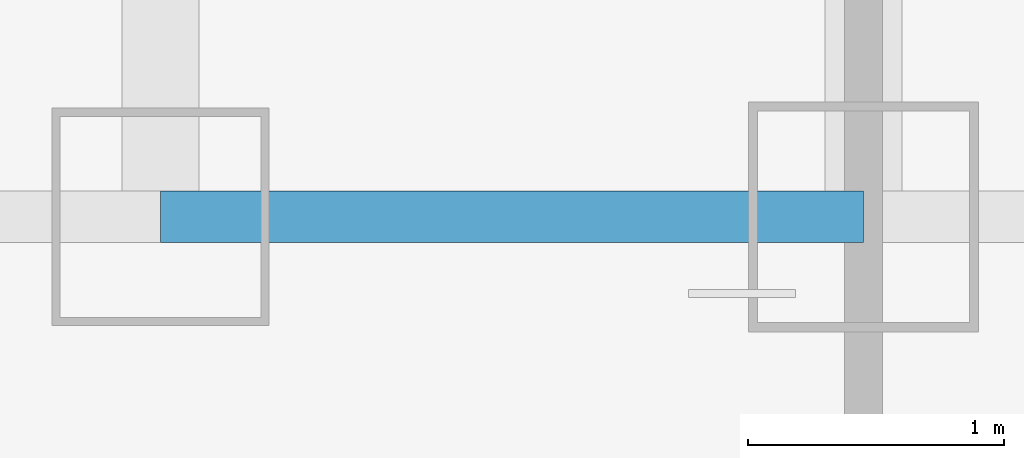
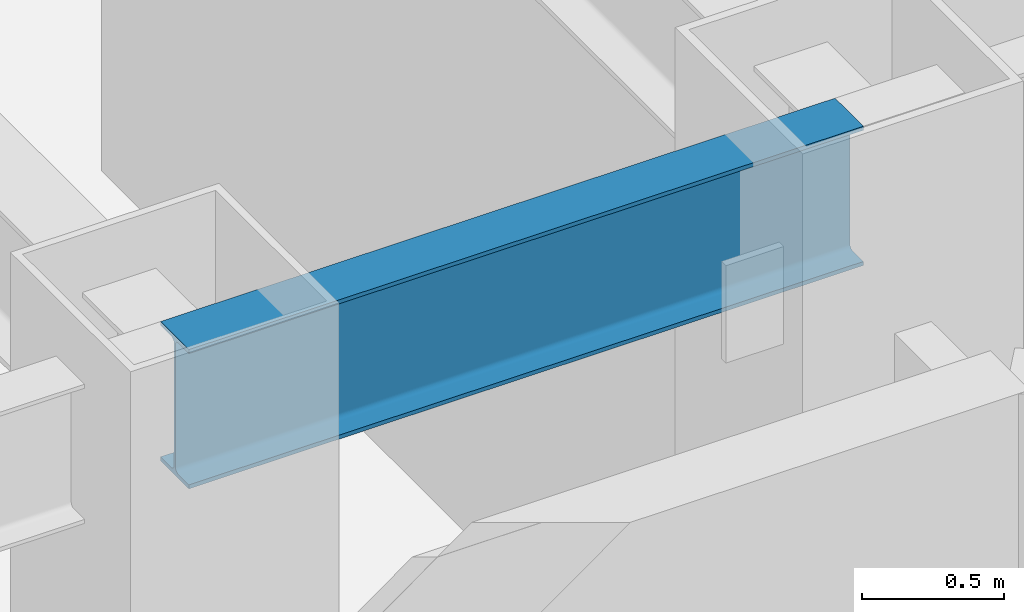
# One storey, part 3 of 29: 1 beam.
"""IFC4 building model written with IfcOpenShell, lengths in metres."""

from ifc_helpers import new_model, si_unit, direction, frame, origin, origin_2d, place, context, subcontext, project, spatial, i_section, extrude, material, material_profile, profile_set, type_object, element, save


model = new_model("IFC4")

# Units and contexts
model_context = context("Model", 3, precision=1e-05, world=origin(), true_north=direction((0.0, 1.0)))
body_context = subcontext(model_context, "Body", "Model", "MODEL_VIEW")
ifc_project = project(units=[si_unit("LENGTHUNIT", "METRE"), si_unit("AREAUNIT", "SQUARE_METRE"), si_unit("VOLUMEUNIT", "CUBIC_METRE"), si_unit("PLANEANGLEUNIT", "RADIAN"), si_unit("MASSUNIT", "GRAM", prefix="KILO")], contexts=[model_context])

# Site, building, storey
site_placement = place(None, origin())
site = spatial("IfcSite", under=ifc_project, at=site_placement, CompositionType="ELEMENT")
building_placement = place(site_placement, origin())
building = spatial("IfcBuilding", under=site, at=building_placement, Name="Hatsunagi Terrace Concourse", CompositionType="ELEMENT")
storey_placement = place(building_placement, frame((0.0, 0.0, 104.85009765625)))
storey = spatial("IfcBuildingStorey", under=building, at=storey_placement, Name="L27", CompositionType="ELEMENT", Elevation=104.85009765625)

# Beam
ifc_material = material(Name="Steel SN490B", Category="steel")
ifc_material_profile = material_profile(ifc_material, i_section(OverallWidth=0.199951171875, OverallDepth=0.60009765625, WebThickness=0.010986328125, FlangeThickness=0.01708984375, FilletRadius=0.01806640625, at=origin_2d()), Name="H-600x200x11x17")
ifc_profile_set = profile_set([ifc_material_profile], Name="Steel SN490B")
beam_type = type_object("IfcBeamType", Name="PerimeterSpandrel_H_600x200", PredefinedType="SPANDREL", material=ifc_profile_set)
beam_placement = place(storey_placement, frame((22.800048828125, 25.199951171875, 3.0498046875), z_axis=(1.0, 0.0, 0.0), x_axis=(0.0, 1.0, 0.0)))
element("IfcBeam", 1, at=beam_placement, inside=storey, type_object=beam_type, Name="Beam SP-01 BM-L27-WS-22", PredefinedType="SPANDREL", context=body_context, shape_type="SweptSolid", body=[
    extrude(i_section(OverallWidth=0.199951171875, OverallDepth=0.60009765625, WebThickness=0.010986328125, FlangeThickness=0.01708984375, FilletRadius=0.01806640625, at=origin_2d()), origin(), (0.0, 0.0, 1.0), 2.75),
])

save(model, "model.ifc")
